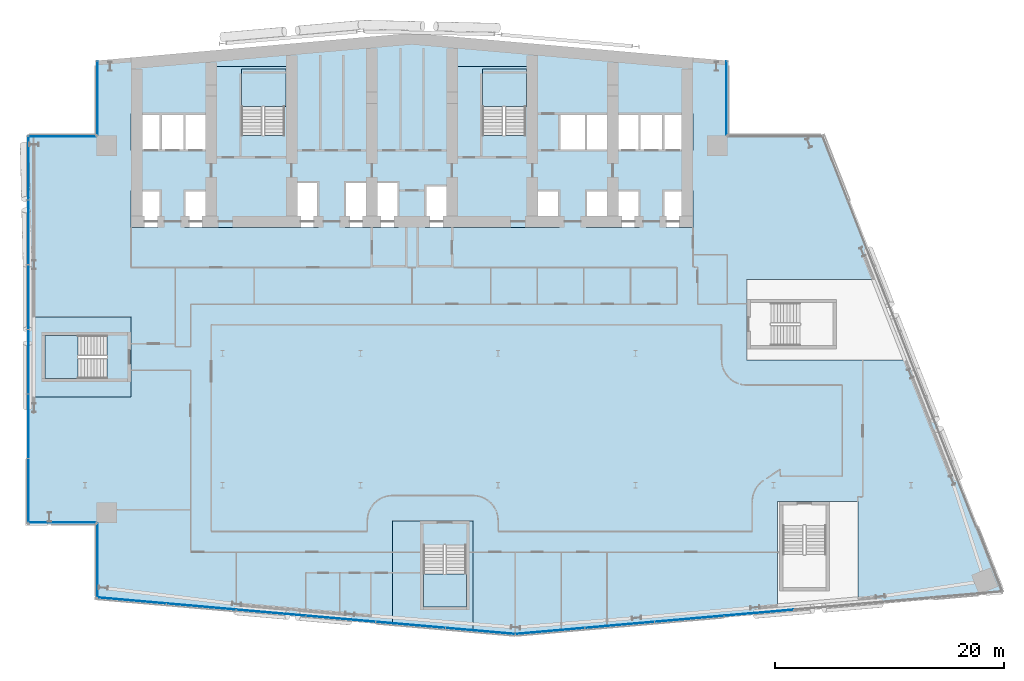
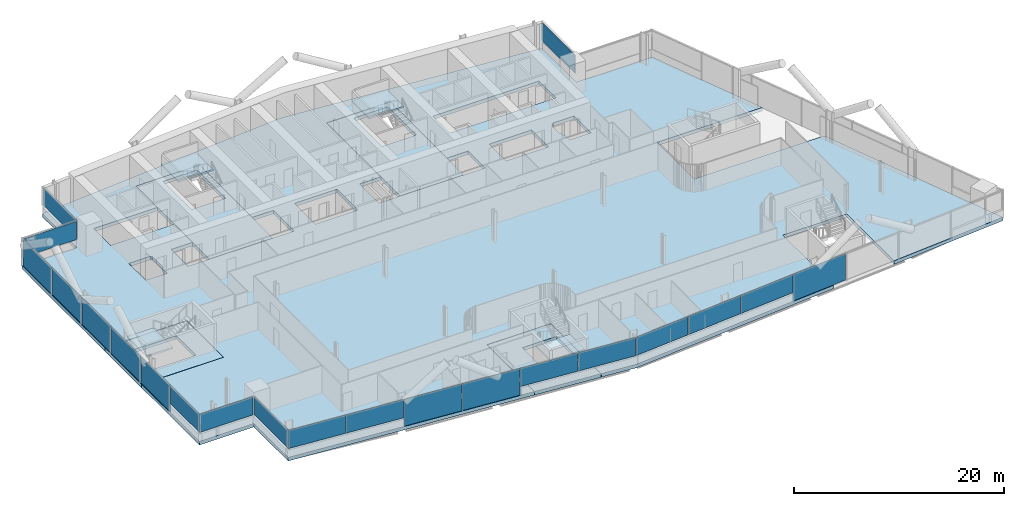
# One storey, part 12 of 30: 21 plates, 9 slabs, 12 elements without a shape of their own.
"""IFC4 building model written with IfcOpenShell, lengths in metres."""

from ifc_helpers import new_model, si_unit, direction, frame, origin, origin_2d, place, context, subcontext, project, spatial, polyline, rectangle, outline, extrude, material, layer, layer_set, type_object, element, aggregate, save


model = new_model("IFC4")

# Units and contexts
model_context = context("Model", 3, precision=1e-05, world=origin(), true_north=direction((0.0, 1.0)))
body_context = subcontext(model_context, "Body", "Model", "MODEL_VIEW")
ifc_project = project(units=[si_unit("LENGTHUNIT", "METRE"), si_unit("AREAUNIT", "SQUARE_METRE"), si_unit("VOLUMEUNIT", "CUBIC_METRE"), si_unit("PLANEANGLEUNIT", "RADIAN"), si_unit("MASSUNIT", "GRAM", prefix="KILO")], contexts=[model_context])

# Site, building, storey
site_placement = place(None, origin())
site = spatial("IfcSite", under=ifc_project, at=site_placement, CompositionType="ELEMENT")
building_placement = place(site_placement, origin())
building = spatial("IfcBuilding", under=site, at=building_placement, Name="Wharfspan Tower", CompositionType="ELEMENT")
storey_placement = place(building_placement, frame((0.0, 0.0, 107.5)))
storey = spatial("IfcBuildingStorey", under=building, at=storey_placement, Name="L24", CompositionType="ELEMENT", Elevation=107.5)

# Curtain wall, plates
ifc_material_1 = material(Name="Aluminium 6063-T6", Category="aluminium")
curtain_wall_type_1 = type_object("IfcCurtainWallType", Name="CURTAIN WALL FACETED FRONT", PredefinedType="NOTDEFINED", material=ifc_material_1)
curtain_wall_1_placement = place(storey_placement, origin())
curtain_wall_1 = element("IfcCurtainWall", 1, at=curtain_wall_1_placement, inside=storey, type_object=curtain_wall_type_1, Name="Curtain wall S1", PredefinedType="NOTDEFINED")
ifc_material_2 = material(Name="Glass clear low-iron double glazing", Category="glass")
ifc_layer_1 = layer(ifc_material_2, 0.040039)
ifc_layer_set_1 = layer_set([ifc_layer_1], Name="Glass clear low-iron double glazing")
plate_type_1 = type_object("IfcPlateType", Name="GLASS PANEL FACETED FRONT 40", PredefinedType="CURTAIN_PANEL", material=ifc_layer_set_1)
plate_1_placement = place(storey_placement, frame((16.061768, 1.467529, 1.0), z_axis=(0.0, 0.0, 1.0), x_axis=(0.996198, -0.087156, 0.0)))
plate_1 = element("IfcPlate", 2, at=plate_1_placement, type_object=plate_type_1, Name="Curtain wall S1 panel 1", PredefinedType="CURTAIN_PANEL", context=body_context, shape_type="SweptSolid", body=[
    extrude(rectangle(XDim=6.016602, YDim=0.040039, at=origin_2d()), origin(), (0.0, 0.0, 1.0), 2.120117),
])
plate_2_placement = place(storey_placement, frame((22.130127, 0.936523, 1.0), z_axis=(0.0, 0.0, 1.0), x_axis=(0.996198, -0.087156, 0.0)))
plate_2 = element("IfcPlate", 3, at=plate_2_placement, type_object=plate_type_1, Name="Curtain wall S1 panel 2", PredefinedType="CURTAIN_PANEL", context=body_context, shape_type="SweptSolid", body=[
    extrude(rectangle(XDim=6.046631, YDim=0.040039, at=origin_2d()), origin(), (0.0, 0.0, 1.0), 2.120117),
])
plate_3_placement = place(storey_placement, frame((40.380127, -0.660156, 1.0), z_axis=(0.0, 0.0, 1.0), x_axis=(0.996198, -0.087156, 0.0)))
plate_3 = element("IfcPlate", 4, at=plate_3_placement, type_object=plate_type_1, Name="Curtain wall S1 panel 5", PredefinedType="CURTAIN_PANEL", context=body_context, shape_type="SweptSolid", body=[
    extrude(rectangle(XDim=6.046631, YDim=0.040039, at=origin_2d()), origin(), (0.0, 0.0, 1.0), 2.120117),
])
plate_4_placement = place(storey_placement, frame((46.44873, -1.191162, 1.0), z_axis=(0.0, 0.0, 1.0), x_axis=(0.996198, -0.087156, 0.0)))
plate_4 = element("IfcPlate", 5, at=plate_4_placement, type_object=plate_type_1, Name="Curtain wall S1 panel 6", PredefinedType="CURTAIN_PANEL", context=body_context, shape_type="SweptSolid", body=[
    extrude(rectangle(XDim=6.016602, YDim=0.040039, at=origin_2d()), origin(), (0.0, 0.0, 1.0), 2.120117),
])

curtain_wall_2_placement = place(storey_placement, origin())
curtain_wall_2 = element("IfcCurtainWall", 6, at=curtain_wall_2_placement, inside=storey, type_object=curtain_wall_type_1, Name="Curtain wall S2", PredefinedType="NOTDEFINED")
plate_5_placement = place(storey_placement, frame((52.54541, -1.19165, 1.0), z_axis=(0.0, 0.0, 1.0), x_axis=(0.996198, 0.087156, 0.0)))
plate_5 = element("IfcPlate", 7, at=plate_5_placement, type_object=plate_type_1, Name="Curtain wall S2 panel 1", PredefinedType="CURTAIN_PANEL", context=body_context, shape_type="SweptSolid", body=[
    extrude(rectangle(XDim=6.004639, YDim=0.040039, at=origin_2d()), origin(), (0.0, 0.0, 1.0), 2.120117),
])
plate_6_placement = place(storey_placement, frame((58.601807, -0.661621, 1.0), z_axis=(0.0, 0.0, 1.0), x_axis=(0.996198, 0.087156, 0.0)))
plate_6 = element("IfcPlate", 8, at=plate_6_placement, type_object=plate_type_1, Name="Curtain wall S2 panel 2", PredefinedType="CURTAIN_PANEL", context=body_context, shape_type="SweptSolid", body=[
    extrude(rectangle(XDim=6.034668, YDim=0.040039, at=origin_2d()), origin(), (0.0, 0.0, 1.0), 2.120117),
])
plate_7_placement = place(storey_placement, frame((64.67334, -0.130615, 1.0), z_axis=(0.0, 0.0, 1.0), x_axis=(0.996198, 0.087156, 0.0)))
plate_7 = element("IfcPlate", 9, at=plate_7_placement, type_object=plate_type_1, Name="Curtain wall S2 panel 3", PredefinedType="CURTAIN_PANEL", context=body_context, shape_type="SweptSolid", body=[
    extrude(rectangle(XDim=6.034668, YDim=0.040039, at=origin_2d()), origin(), (0.0, 0.0, 1.0), 2.120117),
])

# Curtain wall, plate
curtain_wall_type_2 = type_object("IfcCurtainWallType", Name="CURTAIN WALL PROW AND END", PredefinedType="NOTDEFINED", material=ifc_material_1)
curtain_wall_3_placement = place(storey_placement, origin())
curtain_wall_3 = element("IfcCurtainWall", 10, at=curtain_wall_3_placement, inside=storey, type_object=curtain_wall_type_2, Name="Curtain wall NRE-V", PredefinedType="NOTDEFINED")
ifc_layer_2 = layer(ifc_material_2, 0.040039)
ifc_layer_set_2 = layer_set([ifc_layer_2], Name="Glass clear low-iron double glazing")
plate_type_2 = type_object("IfcPlateType", Name="GLASS PANEL PROW AND END 40", PredefinedType="CURTAIN_PANEL", material=ifc_layer_set_2)
plate_8_placement = place(storey_placement, frame((67.919922, 45.262451, 1.0), z_axis=(0.0, 0.0, 1.0), x_axis=(0.0, 1.0, 0.0)))
plate_8 = element("IfcPlate", 11, at=plate_8_placement, type_object=plate_type_2, Name="Curtain wall NRE-V panel 1", PredefinedType="CURTAIN_PANEL", context=body_context, shape_type="SweptSolid", body=[
    extrude(rectangle(XDim=6.405029, YDim=0.040039, at=origin_2d()), origin(), (0.0, 0.0, 1.0), 2.120117),
])
aggregate(curtain_wall_3, [plate_8])

curtain_wall_4_placement = place(storey_placement, origin())
curtain_wall_4 = element("IfcCurtainWall", 12, at=curtain_wall_4_placement, inside=storey, type_object=curtain_wall_type_2, Name="Curtain wall NRW-V", PredefinedType="NOTDEFINED")
plate_9_placement = place(storey_placement, frame((13.080078, 45.262451, 1.0), z_axis=(0.0, 0.0, 1.0), x_axis=(0.0, -1.0, 0.0)))
plate_9 = element("IfcPlate", 13, at=plate_9_placement, type_object=plate_type_2, Name="Curtain wall NRW-V panel 1", PredefinedType="CURTAIN_PANEL", context=body_context, shape_type="SweptSolid", body=[
    extrude(rectangle(XDim=6.405029, YDim=0.040039, at=origin_2d()), origin(), (0.0, 0.0, 1.0), 2.120117),
])
aggregate(curtain_wall_4, [plate_9])

curtain_wall_5_placement = place(storey_placement, origin())
curtain_wall_5 = element("IfcCurtainWall", 14, at=curtain_wall_5_placement, inside=storey, type_object=curtain_wall_type_2, Name="Curtain wall NRW-H", PredefinedType="NOTDEFINED")
plate_10_placement = place(storey_placement, frame((10.0, 41.919922, 1.0), z_axis=(0.0, 0.0, 1.0), x_axis=(-1.0, 0.0, 0.0)))
plate_10 = element("IfcPlate", 15, at=plate_10_placement, type_object=plate_type_2, Name="Curtain wall NRW-H panel 1", PredefinedType="CURTAIN_PANEL", context=body_context, shape_type="SweptSolid", body=[
    extrude(rectangle(XDim=5.879883, YDim=0.040039, at=origin_2d()), origin(), (0.0, 0.0, 1.0), 2.120117),
])
aggregate(curtain_wall_5, [plate_10])

curtain_wall_6_placement = place(storey_placement, origin())
curtain_wall_6 = element("IfcCurtainWall", 16, at=curtain_wall_6_placement, inside=storey, type_object=curtain_wall_type_2, Name="Curtain wall W", PredefinedType="NOTDEFINED")
plate_11_placement = place(storey_placement, frame((7.080078, 11.031738, 1.0), z_axis=(0.0, 0.0, 1.0), x_axis=(0.0, -1.0, 0.0)))
plate_11 = element("IfcPlate", 17, at=plate_11_placement, type_object=plate_type_2, Name="Curtain wall W panel 6", PredefinedType="CURTAIN_PANEL", context=body_context, shape_type="SweptSolid", body=[
    extrude(rectangle(XDim=5.543213, YDim=0.040039, at=origin_2d()), origin(), (0.0, 0.0, 1.0), 2.120117),
])

curtain_wall_7_placement = place(storey_placement, origin())
curtain_wall_7 = element("IfcCurtainWall", 18, at=curtain_wall_7_placement, inside=storey, type_object=curtain_wall_type_2, Name="Curtain wall NFW-H", PredefinedType="NOTDEFINED")
plate_12_placement = place(storey_placement, frame((10.0, 8.280029, 1.0), z_axis=(0.0, 0.0, 1.0), x_axis=(1.0, 0.0, 0.0)))
plate_12 = element("IfcPlate", 19, at=plate_12_placement, type_object=plate_type_2, Name="Curtain wall NFW-H panel 1", PredefinedType="CURTAIN_PANEL", context=body_context, shape_type="SweptSolid", body=[
    extrude(rectangle(XDim=5.879883, YDim=0.040039, at=origin_2d()), origin(), (0.0, 0.0, 1.0), 2.120117),
])
aggregate(curtain_wall_7, [plate_12])

curtain_wall_8_placement = place(storey_placement, origin())
curtain_wall_8 = element("IfcCurtainWall", 20, at=curtain_wall_8_placement, inside=storey, type_object=curtain_wall_type_2, Name="Curtain wall NFW-V", PredefinedType="NOTDEFINED")
plate_13_placement = place(storey_placement, frame((13.080078, 4.9375, 1.0), z_axis=(0.0, 0.0, 1.0), x_axis=(0.0, -1.0, 0.0)))
plate_13 = element("IfcPlate", 21, at=plate_13_placement, type_object=plate_type_2, Name="Curtain wall NFW-V panel 1", PredefinedType="CURTAIN_PANEL", context=body_context, shape_type="SweptSolid", body=[
    extrude(rectangle(XDim=6.405029, YDim=0.040039, at=origin_2d()), origin(), (0.0, 0.0, 1.0), 2.120117),
])
aggregate(curtain_wall_8, [plate_13])

# Plate
ifc_material_3 = material(Name="Aluminium composite opaque insulated panel", Category="aluminium")
ifc_layer_3 = layer(ifc_material_3, 0.040039)
ifc_layer_set_3 = layer_set([ifc_layer_3], Name="Aluminium composite opaque insulated panel")
plate_type_3 = type_object("IfcPlateType", Name="INFILL PANEL FACETED FRONT OPAQUE 40", PredefinedType="SHEET", material=ifc_layer_set_3)
plate_14_placement = place(storey_placement, frame((28.213623, 0.404297, 0.0), z_axis=(0.0, 0.0, 1.0), x_axis=(0.996198, -0.087156, 0.0)))
plate_14 = element("IfcPlate", 22, at=plate_14_placement, type_object=plate_type_3, Name="Curtain wall S1 panel 3", PredefinedType="SHEET", context=body_context, shape_type="SweptSolid", body=[
    extrude(rectangle(XDim=6.046631, YDim=0.040039, at=origin_2d()), origin(), (0.0, 0.0, 1.0), 3.120117),
])

plate_15_placement = place(storey_placement, frame((34.296875, -0.12793, 0.0), z_axis=(0.0, 0.0, 1.0), x_axis=(0.996198, -0.087156, 0.0)))
plate_15 = element("IfcPlate", 23, at=plate_15_placement, type_object=plate_type_3, Name="Curtain wall S1 panel 4", PredefinedType="SHEET", context=body_context, shape_type="SweptSolid", body=[
    extrude(rectangle(XDim=6.046631, YDim=0.040039, at=origin_2d()), origin(), (0.0, 0.0, 1.0), 3.120117),
])

aggregate(curtain_wall_1, [plate_1, plate_2, plate_14, plate_15, plate_3, plate_4])

plate_16_placement = place(storey_placement, frame((70.744873, 0.400635, 0.0), z_axis=(0.0, 0.0, 1.0), x_axis=(0.996198, 0.087156, 0.0)))
plate_16 = element("IfcPlate", 24, at=plate_16_placement, type_object=plate_type_3, Name="Curtain wall S2 panel 4", PredefinedType="SHEET", context=body_context, shape_type="SweptSolid", body=[
    extrude(rectangle(XDim=6.034668, YDim=0.040039, at=origin_2d()), origin(), (0.0, 0.0, 1.0), 3.120117),
])

aggregate(curtain_wall_2, [plate_5, plate_6, plate_7, plate_16])

ifc_layer_4 = layer(ifc_material_3, 0.040039)
ifc_layer_set_4 = layer_set([ifc_layer_4], Name="Aluminium composite opaque insulated panel")
plate_type_4 = type_object("IfcPlateType", Name="INFILL PANEL PROW AND END OPAQUE 40", PredefinedType="SHEET", material=ifc_layer_set_4)
plate_17_placement = place(storey_placement, frame((7.080078, 39.168213, 0.0), z_axis=(0.0, 0.0, 1.0), x_axis=(0.0, -1.0, 0.0)))
plate_17 = element("IfcPlate", 25, at=plate_17_placement, type_object=plate_type_4, Name="Curtain wall W panel 1", PredefinedType="SHEET", context=body_context, shape_type="SweptSolid", body=[
    extrude(rectangle(XDim=5.543213, YDim=0.040039, at=origin_2d()), origin(), (0.0, 0.0, 1.0), 3.120117),
])

plate_18_placement = place(storey_placement, frame((7.080078, 33.550049, 0.0), z_axis=(0.0, 0.0, 1.0), x_axis=(0.0, -1.0, 0.0)))
plate_18 = element("IfcPlate", 26, at=plate_18_placement, type_object=plate_type_4, Name="Curtain wall W panel 2", PredefinedType="SHEET", context=body_context, shape_type="SweptSolid", body=[
    extrude(rectangle(XDim=5.573242, YDim=0.040039, at=origin_2d()), origin(), (0.0, 0.0, 1.0), 3.120117),
])

plate_19_placement = place(storey_placement, frame((7.080078, 27.916748, 0.0), z_axis=(0.0, 0.0, 1.0), x_axis=(0.0, -1.0, 0.0)))
plate_19 = element("IfcPlate", 27, at=plate_19_placement, type_object=plate_type_4, Name="Curtain wall W panel 3", PredefinedType="SHEET", context=body_context, shape_type="SweptSolid", body=[
    extrude(rectangle(XDim=5.573242, YDim=0.040039, at=origin_2d()), origin(), (0.0, 0.0, 1.0), 3.120117),
])

plate_20_placement = place(storey_placement, frame((7.080078, 22.283447, 0.0), z_axis=(0.0, 0.0, 1.0), x_axis=(0.0, -1.0, 0.0)))
plate_20 = element("IfcPlate", 28, at=plate_20_placement, type_object=plate_type_4, Name="Curtain wall W panel 4", PredefinedType="SHEET", context=body_context, shape_type="SweptSolid", body=[
    extrude(rectangle(XDim=5.573242, YDim=0.040039, at=origin_2d()), origin(), (0.0, 0.0, 1.0), 3.120117),
])

plate_21_placement = place(storey_placement, frame((7.080078, 16.649902, 0.0), z_axis=(0.0, 0.0, 1.0), x_axis=(0.0, -1.0, 0.0)))
plate_21 = element("IfcPlate", 29, at=plate_21_placement, type_object=plate_type_4, Name="Curtain wall W panel 5", PredefinedType="SHEET", context=body_context, shape_type="SweptSolid", body=[
    extrude(rectangle(XDim=5.573242, YDim=0.040039, at=origin_2d()), origin(), (0.0, 0.0, 1.0), 3.120117),
])

aggregate(curtain_wall_6, [plate_17, plate_18, plate_19, plate_20, plate_21, plate_11])

# Slabs
ifc_material_4 = material(Name="Concrete C40/50", Category="concrete")
ifc_layer_5 = layer(ifc_material_4, 0.399902)
ifc_layer_set_5 = layer_set([ifc_layer_5], Name="Concrete C40/50")
slab_type_1 = type_object("IfcSlabType", Name="Post-tensioned flat slab 400", PredefinedType="FLOOR", material=ifc_layer_set_5)
slab_1_placement = place(storey_placement, frame((0.0, 0.0, -0.400146)))
element("IfcSlab", 30, at=slab_1_placement, inside=storey, type_object=slab_type_1, Name="Floor slab L24", PredefinedType="FLOOR", context=body_context, shape_type="SweptSolid", body=[
    extrude(outline(polyline([(38.800293, -0.582275), (38.800293, 8.427002), (45.820312, 8.427002), (45.820312, -1.196289), (49.5, -1.518311), (72.355957, 0.481445), (72.355957, 10.104736), (79.375977, 10.104736), (79.375977, 1.095459), (92.0, 2.199951), (84.04541, 22.439941), (69.68042, 22.439941), (69.68042, 29.459961), (81.286621, 29.459961), (76.358154, 42.0), (68.0, 42.0), (68.0, 48.524902), (40.5, 50.930908), (13.0, 48.524902), (13.0, 42.0), (7.0, 42.0), (7.0, 26.209961), (16.01001, 26.209961), (16.01001, 19.189941), (7.0, 19.189941), (7.0, 8.199951), (13.0, 8.199951), (13.0, 1.675049), (38.800293, -0.582275)]), holes=[polyline([(62.48999, 35.389893), (62.36499, 35.389893), (62.36499, 36.909912), (62.48999, 36.909912), (62.48999, 37.110107), (62.656738, 37.110107), (62.656738, 37.209961), (65.01001, 37.209961), (65.01001, 33.98999), (62.656738, 33.98999), (62.656738, 34.98999), (62.48999, 34.98999), (62.48999, 35.389893)]), polyline([(65.01001, 43.909912), (65.01001, 40.689941), (53.323242, 40.689941), (53.323242, 43.909912), (65.01001, 43.909912)]), polyline([(55.656738, 33.98999), (55.656738, 37.209961), (60.343262, 37.209961), (60.343262, 33.98999), (55.656738, 33.98999)]), polyline([(43.98999, 37.659912), (43.98999, 48.01001), (51.01001, 48.01001), (51.01001, 37.209961), (53.343262, 37.209961), (53.343262, 33.98999), (41.656738, 33.98999), (41.656738, 37.659912), (43.98999, 37.659912)]), polyline([(34.656738, 33.98999), (34.656738, 37.959961), (39.343262, 37.959961), (39.343262, 33.98999), (34.656738, 33.98999)]), polyline([(20.656738, 37.209961), (22.98999, 37.209961), (22.98999, 40.689941), (20.676758, 40.689941), (20.656738, 40.689941), (15.98999, 40.689941), (15.98999, 43.909912), (20.656738, 43.909912), (20.676758, 43.909912), (22.98999, 43.909912), (22.98999, 48.01001), (30.01001, 48.01001), (30.01001, 37.959961), (32.343262, 37.959961), (32.343262, 33.98999), (20.656738, 33.98999), (20.656738, 37.209961)]), polyline([(18.51001, 34.98999), (18.343262, 34.98999), (18.343262, 33.98999), (15.98999, 33.98999), (15.98999, 37.209961), (18.343262, 37.209961), (18.343262, 37.110107), (18.51001, 37.110107), (18.51001, 34.98999)])]), origin(), (0.0, 0.0, 1.0), 0.400146),
])
slab_2_placement = place(storey_placement, frame((0.0, 0.0, -0.400146)))
element("IfcSlab", 31, at=slab_2_placement, inside=storey, type_object=slab_type_1, Name="Core floor slab L24 part 1", PredefinedType="FLOOR", context=body_context, shape_type="SweptSolid", body=[
    extrude(outline(polyline([(16.0, 20.524902), (16.0, 24.875), (16.0, 26.199951), (7.0, 26.199951), (7.0, 19.199951), (16.0, 19.199951), (16.0, 20.524902)]), holes=[polyline([(13.9021, 20.824951), (13.9021, 20.824707), (13.9021, 20.824707), (13.901855, 20.824463), (13.901855, 20.824219), (13.901855, 20.824219), (13.901611, 20.823975), (13.901611, 20.82373), (13.901367, 20.823486), (13.901367, 20.823486), (13.901123, 20.823242), (13.900879, 20.823242), (13.900879, 20.823242), (13.900635, 20.822998), (13.900391, 20.822998), (13.900146, 20.822998), (13.899902, 20.822998), (8.5, 20.822998), (8.499756, 20.822998), (8.499512, 20.822998), (8.499512, 20.822998), (8.499268, 20.823242), (8.499023, 20.823242), (8.498779, 20.823242), (8.498779, 20.823486), (8.498535, 20.823486), (8.498535, 20.82373), (8.498291, 20.823975), (8.498291, 20.824219), (8.498291, 20.824219), (8.498047, 20.824463), (8.498047, 20.824707), (8.498047, 20.824707), (8.498047, 20.824951), (8.498047, 24.574951), (8.498047, 24.575195), (8.498047, 24.575439), (8.498047, 24.575684), (8.498291, 24.575684), (8.498291, 24.575928), (8.498291, 24.576172), (8.498535, 24.576416), (8.498535, 24.576416), (8.498779, 24.576416), (8.498779, 24.57666), (8.499023, 24.576904), (8.499268, 24.576904), (8.499512, 24.576904), (8.499512, 24.576904), (8.499756, 24.576904), (8.5, 24.576904), (13.899902, 24.576904), (13.900146, 24.576904), (13.900391, 24.576904), (13.900635, 24.576904), (13.900879, 24.576904), (13.900879, 24.576904), (13.901123, 24.57666), (13.901367, 24.576416), (13.901367, 24.576416), (13.901611, 24.576416), (13.901611, 24.576172), (13.901855, 24.575928), (13.901855, 24.575684), (13.901855, 24.575684), (13.9021, 24.575439), (13.9021, 24.575195), (13.9021, 24.574951), (13.9021, 20.824951)])]), origin(), (0.0, 0.0, 1.0), 0.400146),
])
slab_3_placement = place(storey_placement, frame((0.0, 0.0, -0.400146)))
element("IfcSlab", 32, at=slab_3_placement, inside=storey, type_object=slab_type_1, Name="Core floor slab L24 part 2", PredefinedType="FLOOR", context=body_context, shape_type="SweptSolid", body=[
    extrude(outline(polyline([(20.664795, 34.0), (20.664795, 37.199951), (20.664795, 37.200195), (20.664795, 37.200439), (20.664795, 37.200684), (20.664795, 37.200684), (20.664795, 37.200928), (20.665039, 37.201172), (20.665039, 37.201416), (20.665283, 37.201416), (20.665283, 37.201416), (20.665527, 37.20166), (20.665771, 37.201904), (20.666016, 37.201904), (20.666016, 37.201904), (20.66626, 37.201904), (20.666504, 37.201904), (20.666748, 37.201904), (23.0, 37.201904), (23.000244, 37.201904), (23.000488, 37.201904), (23.000488, 37.201904), (23.000732, 37.201904), (23.000977, 37.201904), (23.001221, 37.20166), (23.001221, 37.201416), (23.001465, 37.201416), (23.001465, 37.201416), (23.001709, 37.201172), (23.001709, 37.200928), (23.001709, 37.200684), (23.001953, 37.200684), (23.001953, 37.200439), (23.001953, 37.200195), (23.001953, 37.199951), (23.001953, 34.0), (29.998047, 34.0), (29.998047, 37.949951), (29.998047, 37.950195), (29.998047, 37.950439), (29.998047, 37.950684), (29.998291, 37.950684), (29.998291, 37.950928), (29.998291, 37.951172), (29.998535, 37.951416), (29.998535, 37.951416), (29.998779, 37.951416), (29.998779, 37.95166), (29.999023, 37.951904), (29.999268, 37.951904), (29.999512, 37.951904), (29.999512, 37.951904), (29.999756, 37.951904), (30.0, 37.951904), (32.333252, 37.951904), (32.333496, 37.951904), (32.33374, 37.951904), (32.333984, 37.951904), (32.333984, 37.951904), (32.334229, 37.951904), (32.334473, 37.95166), (32.334717, 37.951416), (32.334717, 37.951416), (32.334961, 37.951416), (32.334961, 37.951172), (32.335205, 37.950928), (32.335205, 37.950684), (32.335205, 37.950684), (32.335205, 37.950439), (32.335205, 37.950195), (32.335205, 37.949951), (32.335205, 34.0), (32.341309, 34.0), (32.341309, 37.958008), (30.01001, 37.958008), (30.009766, 37.958008), (30.009521, 37.958008), (30.009521, 37.958008), (30.009277, 37.958252), (30.009033, 37.958252), (30.008789, 37.958252), (30.008789, 37.958496), (30.008545, 37.958496), (30.008545, 37.95874), (30.008301, 37.958984), (30.008301, 37.958984), (30.008301, 37.959229), (30.008057, 37.959473), (30.008057, 37.959717), (30.008057, 37.959717), (30.008057, 37.959961), (30.008057, 48.008057), (22.991943, 48.008057), (22.991943, 43.909912), (22.991943, 43.909912), (22.991943, 43.909668), (22.991943, 43.909424), (22.991699, 43.90918), (22.991699, 43.90918), (22.991699, 43.908936), (22.991455, 43.908691), (22.991455, 43.908691), (22.991211, 43.908447), (22.991211, 43.908203), (22.990967, 43.908203), (22.990723, 43.908203), (22.990479, 43.908203), (22.990479, 43.907959), (22.990234, 43.907959), (22.98999, 43.907959), (16.0, 43.907959), (16.0, 43.9021), (20.666748, 43.9021), (20.666748, 43.9021), (23.0, 43.9021), (23.000244, 43.9021), (23.000488, 43.9021), (23.000488, 43.901855), (23.000732, 43.901855), (23.000977, 43.901855), (23.001221, 43.901611), (23.001221, 43.901611), (23.001465, 43.901367), (23.001465, 43.901367), (23.001709, 43.901123), (23.001709, 43.900879), (23.001709, 43.900879), (23.001953, 43.900635), (23.001953, 43.900391), (23.001953, 43.900146), (23.001953, 43.899902), (23.001953, 40.699951), (23.001953, 40.699707), (23.001953, 40.699707), (23.001953, 40.699463), (23.001709, 40.699219), (23.001709, 40.699219), (23.001709, 40.698975), (23.001465, 40.69873), (23.001465, 40.698486), (23.001221, 40.698486), (23.001221, 40.698242), (23.000977, 40.698242), (23.000732, 40.698242), (23.000488, 40.697998), (23.000488, 40.697998), (23.000244, 40.697998), (23.0, 40.697998), (20.666748, 40.697998), (20.666748, 40.697998), (16.0, 40.697998), (16.0, 40.691895), (22.98999, 40.691895), (22.990234, 40.691895), (22.990479, 40.691895), (22.990479, 40.691895), (22.990723, 40.691895), (22.990967, 40.691895), (22.991211, 40.69165), (22.991211, 40.691406), (22.991455, 40.691406), (22.991455, 40.691406), (22.991699, 40.691162), (22.991699, 40.690918), (22.991699, 40.690918), (22.991943, 40.690674), (22.991943, 40.69043), (22.991943, 40.690186), (22.991943, 40.689941), (22.991943, 37.209961), (22.991943, 37.209717), (22.991943, 37.209717), (22.991943, 37.209473), (22.991699, 37.209229), (22.991699, 37.208984), (22.991699, 37.208984), (22.991455, 37.20874), (22.991455, 37.208496), (22.991211, 37.208496), (22.991211, 37.208252), (22.990967, 37.208252), (22.990723, 37.208252), (22.990479, 37.208008), (22.990479, 37.208008), (22.990234, 37.208008), (22.98999, 37.208008), (20.658691, 37.208008), (20.658691, 34.0), (20.664795, 34.0)]), holes=[polyline([(25.649902, 41.998047), (25.649902, 41.998047), (25.649658, 41.998047), (25.649414, 41.998047), (25.64917, 41.998291), (25.64917, 41.998291), (25.648926, 41.998291), (25.648682, 41.998535), (25.648682, 41.998535), (25.648438, 41.998779), (25.648193, 41.998779), (25.648193, 41.999023), (25.648193, 41.999268), (25.648193, 41.999512), (25.647949, 41.999512), (25.647949, 41.999756), (25.647949, 42.0), (25.647949, 47.399902), (25.647949, 47.400146), (25.647949, 47.400391), (25.648193, 47.400635), (25.648193, 47.400879), (25.648193, 47.400879), (25.648193, 47.401123), (25.648438, 47.401367), (25.648682, 47.401367), (25.648682, 47.401611), (25.648926, 47.401611), (25.64917, 47.401855), (25.64917, 47.401855), (25.649414, 47.401855), (25.649658, 47.4021), (25.649902, 47.4021), (25.649902, 47.4021), (29.399902, 47.4021), (29.400146, 47.4021), (29.400391, 47.4021), (29.400635, 47.401855), (29.400879, 47.401855), (29.400879, 47.401855), (29.401123, 47.401611), (29.401367, 47.401611), (29.401367, 47.401367), (29.401611, 47.401367), (29.401611, 47.401123), (29.401855, 47.400879), (29.401855, 47.400879), (29.401855, 47.400635), (29.4021, 47.400391), (29.4021, 47.400146), (29.4021, 47.399902), (29.4021, 42.0), (29.4021, 41.999756), (29.4021, 41.999512), (29.401855, 41.999512), (29.401855, 41.999268), (29.401855, 41.999023), (29.401611, 41.998779), (29.401611, 41.998779), (29.401367, 41.998535), (29.401367, 41.998535), (29.401123, 41.998291), (29.400879, 41.998291), (29.400879, 41.998291), (29.400635, 41.998047), (29.400391, 41.998047), (29.400146, 41.998047), (29.399902, 41.998047), (25.649902, 41.998047)])]), origin(), (0.0, 0.0, 1.0), 0.400146),
])
slab_4_placement = place(storey_placement, frame((0.0, 0.0, -0.400146)))
element("IfcSlab", 33, at=slab_4_placement, inside=storey, type_object=slab_type_1, Name="Core floor slab L24 part 3", PredefinedType="FLOOR", context=body_context, shape_type="SweptSolid", body=[
    extrude(outline(polyline([(45.5354, 8.416992), (41.185303, 8.416992), (38.810303, 8.416992), (38.810303, -0.583008), (45.810303, -1.195557), (45.810303, 8.416992), (45.5354, 8.416992)]), holes=[polyline([(41.483398, 6.316895), (41.483398, 6.317139), (41.483398, 6.317383), (41.483398, 6.317383), (41.483398, 6.317627), (41.483398, 6.317871), (41.483643, 6.318115), (41.483643, 6.318115), (41.483887, 6.318359), (41.483887, 6.318604), (41.484131, 6.318604), (41.484375, 6.318604), (41.484619, 6.318848), (41.484619, 6.318848), (41.484863, 6.318848), (41.485107, 6.319092), (41.485352, 6.319092), (45.235352, 6.319092), (45.235596, 6.319092), (45.235596, 6.318848), (45.23584, 6.318848), (45.236084, 6.318848), (45.236084, 6.318604), (45.236328, 6.318604), (45.236572, 6.318604), (45.236816, 6.318359), (45.236816, 6.318115), (45.236816, 6.318115), (45.237061, 6.317871), (45.237061, 6.317627), (45.237305, 6.317383), (45.237305, 6.317383), (45.237305, 6.317139), (45.237305, 6.316895), (45.237305, 0.916992), (45.237305, 0.916748), (45.237305, 0.916504), (45.237305, 0.916504), (45.237061, 0.91626), (45.237061, 0.916016), (45.236816, 0.916016), (45.236816, 0.915771), (45.236816, 0.915527), (45.236572, 0.915283), (45.236328, 0.915283), (45.236084, 0.915283), (45.236084, 0.915039), (45.23584, 0.915039), (45.235596, 0.915039), (45.235596, 0.915039), (45.235352, 0.915039), (41.485352, 0.915039), (41.485107, 0.915039), (41.484863, 0.915039), (41.484619, 0.915039), (41.484619, 0.915039), (41.484375, 0.915283), (41.484131, 0.915283), (41.483887, 0.915283), (41.483887, 0.915527), (41.483643, 0.915771), (41.483643, 0.916016), (41.483398, 0.916016), (41.483398, 0.91626), (41.483398, 0.916504), (41.483398, 0.916504), (41.483398, 0.916748), (41.483398, 0.916992), (41.483398, 6.316895)])]), origin(), (0.0, 0.0, 1.0), 0.400146),
])
slab_5_placement = place(storey_placement, frame((0.0, 0.0, -0.400146)))
element("IfcSlab", 34, at=slab_5_placement, inside=storey, type_object=slab_type_1, Name="Core floor slab L24 part 4", PredefinedType="FLOOR", context=body_context, shape_type="SweptSolid", body=[
    extrude(outline(polyline([(53.341309, 34.0), (53.341309, 37.208008), (51.01001, 37.208008), (51.009766, 37.208008), (51.009521, 37.208008), (51.009521, 37.208008), (51.009277, 37.208252), (51.009033, 37.208252), (51.008789, 37.208252), (51.008789, 37.208496), (51.008545, 37.208496), (51.008545, 37.20874), (51.008301, 37.208984), (51.008301, 37.208984), (51.008301, 37.209229), (51.008057, 37.209473), (51.008057, 37.209717), (51.008057, 37.209717), (51.008057, 37.209961), (51.008057, 48.008057), (43.991943, 48.008057), (43.991943, 37.659912), (43.991943, 37.659912), (43.991943, 37.659668), (43.991943, 37.659424), (43.991699, 37.65918), (43.991699, 37.65918), (43.991699, 37.658936), (43.991455, 37.658691), (43.991455, 37.658691), (43.991211, 37.658447), (43.991211, 37.658203), (43.990967, 37.658203), (43.990723, 37.658203), (43.990479, 37.658203), (43.990479, 37.657959), (43.990234, 37.657959), (43.98999, 37.657959), (41.658691, 37.657959), (41.658691, 34.0), (41.664795, 34.0), (41.664795, 37.649902), (41.664795, 37.650146), (41.664795, 37.650391), (41.664795, 37.650635), (41.664795, 37.650879), (41.664795, 37.650879), (41.665039, 37.651123), (41.665039, 37.651367), (41.665283, 37.651367), (41.665283, 37.651611), (41.665527, 37.651611), (41.665771, 37.651855), (41.666016, 37.651855), (41.666016, 37.651855), (41.66626, 37.6521), (41.666504, 37.6521), (41.666748, 37.6521), (44.0, 37.6521), (44.000244, 37.6521), (44.000488, 37.6521), (44.000488, 37.651855), (44.000732, 37.651855), (44.000977, 37.651855), (44.001221, 37.651611), (44.001221, 37.651611), (44.001465, 37.651367), (44.001465, 37.651367), (44.001709, 37.651123), (44.001709, 37.650879), (44.001709, 37.650879), (44.001953, 37.650635), (44.001953, 37.650391), (44.001953, 37.650146), (44.001953, 37.649902), (44.001953, 34.0), (50.998047, 34.0), (50.998047, 37.199951), (50.998047, 37.200195), (50.998047, 37.200439), (50.998047, 37.200684), (50.998291, 37.200684), (50.998291, 37.200928), (50.998291, 37.201172), (50.998535, 37.201416), (50.998535, 37.201416), (50.998779, 37.201416), (50.998779, 37.20166), (50.999023, 37.201904), (50.999268, 37.201904), (50.999512, 37.201904), (50.999512, 37.201904), (50.999756, 37.201904), (51.0, 37.201904), (53.333252, 37.201904), (53.333496, 37.201904), (53.33374, 37.201904), (53.333984, 37.201904), (53.333984, 37.201904), (53.334229, 37.201904), (53.334473, 37.20166), (53.334717, 37.201416), (53.334717, 37.201416), (53.334961, 37.201416), (53.334961, 37.201172), (53.335205, 37.200928), (53.335205, 37.200684), (53.335205, 37.200684), (53.335205, 37.200439), (53.335205, 37.200195), (53.335205, 37.199951), (53.335205, 34.0), (53.341309, 34.0)]), holes=[polyline([(50.4021, 42.0), (50.4021, 41.999756), (50.4021, 41.999512), (50.401855, 41.999512), (50.401855, 41.999268), (50.401855, 41.999023), (50.401611, 41.998779), (50.401611, 41.998779), (50.401367, 41.998535), (50.401367, 41.998535), (50.401123, 41.998291), (50.400879, 41.998291), (50.400879, 41.998291), (50.400635, 41.998047), (50.400391, 41.998047), (50.400146, 41.998047), (50.399902, 41.998047), (46.649902, 41.998047), (46.649902, 41.998047), (46.649658, 41.998047), (46.649414, 41.998047), (46.64917, 41.998291), (46.64917, 41.998291), (46.648926, 41.998291), (46.648682, 41.998535), (46.648682, 41.998535), (46.648438, 41.998779), (46.648193, 41.998779), (46.648193, 41.999023), (46.648193, 41.999268), (46.648193, 41.999512), (46.647949, 41.999512), (46.647949, 41.999756), (46.647949, 42.0), (46.647949, 47.399902), (46.647949, 47.400146), (46.647949, 47.400391), (46.648193, 47.400635), (46.648193, 47.400879), (46.648193, 47.400879), (46.648193, 47.401123), (46.648438, 47.401367), (46.648682, 47.401367), (46.648682, 47.401611), (46.648926, 47.401611), (46.64917, 47.401855), (46.64917, 47.401855), (46.649414, 47.401855), (46.649658, 47.4021), (46.649902, 47.4021), (46.649902, 47.4021), (50.399902, 47.4021), (50.400146, 47.4021), (50.400391, 47.4021), (50.400635, 47.401855), (50.400879, 47.401855), (50.400879, 47.401855), (50.401123, 47.401611), (50.401367, 47.401611), (50.401367, 47.401367), (50.401611, 47.401367), (50.401611, 47.401123), (50.401855, 47.400879), (50.401855, 47.400879), (50.401855, 47.400635), (50.4021, 47.400391), (50.4021, 47.400146), (50.4021, 47.399902), (50.4021, 42.0)])]), origin(), (0.0, 0.0, 1.0), 0.400146),
])

# Stair, slab
stair_type = type_object("IfcStairType", Name="Half-turn stair 20 risers 180 mm", PredefinedType="HALF_TURN_STAIR", material=ifc_material_4)
stair_1_placement = place(storey_placement, origin())
stair_1 = element("IfcStair", 35, at=stair_1_placement, inside=storey, type_object=stair_type, Name="L24 stair ST1", PredefinedType="HALF_TURN_STAIR")
ifc_layer_6 = layer(ifc_material_4, 0.199951)
ifc_layer_set_6 = layer_set([ifc_layer_6], Name="Concrete C40/50")
slab_type_2 = type_object("IfcSlabType", Name="Stair landing 200", PredefinedType="LANDING", material=ifc_layer_set_6)
slab_6_placement = place(storey_placement, frame((0.0, 0.0, 1.599854)))
slab_6 = element("IfcSlab", 36, at=slab_6_placement, type_object=slab_type_2, Name="ST1 landing 1", PredefinedType="LANDING", context=body_context, shape_type="SweptSolid", body=[
    extrude(outline(polyline([(25.649902, 44.52002), (29.5, 44.52002), (29.5, 47.783691), (25.649902, 47.783691), (25.649902, 44.52002)])), origin(), (0.0, 0.0, 1.0), 0.200195),
])
aggregate(stair_1, [slab_6])

stair_2_placement = place(storey_placement, origin())
stair_2 = element("IfcStair", 37, at=stair_2_placement, inside=storey, type_object=stair_type, Name="L24 stair ST2", PredefinedType="HALF_TURN_STAIR")
slab_7_placement = place(storey_placement, frame((0.0, 0.0, 1.599854)))
slab_7 = element("IfcSlab", 38, at=slab_7_placement, type_object=slab_type_2, Name="ST2 landing 1", PredefinedType="LANDING", context=body_context, shape_type="SweptSolid", body=[
    extrude(outline(polyline([(46.649902, 44.52002), (50.5, 44.52002), (50.5, 47.783691), (46.649902, 47.783691), (46.649902, 44.52002)])), origin(), (0.0, 0.0, 1.0), 0.200195),
])
aggregate(stair_2, [slab_7])

stair_3_placement = place(storey_placement, origin())
stair_3 = element("IfcStair", 39, at=stair_3_placement, inside=storey, type_object=stair_type, Name="L24 stair ST3", PredefinedType="HALF_TURN_STAIR")
slab_8_placement = place(storey_placement, frame((0.0, 0.0, 1.599854)))
slab_8 = element("IfcSlab", 40, at=slab_8_placement, type_object=slab_type_2, Name="ST3 landing 1", PredefinedType="LANDING", context=body_context, shape_type="SweptSolid", body=[
    extrude(outline(polyline([(11.379883, 24.574951), (8.5, 24.574951), (8.5, 20.824951), (11.379883, 20.824951), (11.379883, 24.574951)])), origin(), (0.0, 0.0, 1.0), 0.200195),
])
aggregate(stair_3, [slab_8])

stair_4_placement = place(storey_placement, origin())
stair_4 = element("IfcStair", 41, at=stair_4_placement, inside=storey, type_object=stair_type, Name="L24 stair ST4", PredefinedType="HALF_TURN_STAIR")
slab_9_placement = place(storey_placement, frame((0.0, 0.0, 1.599854)))
slab_9 = element("IfcSlab", 42, at=slab_9_placement, type_object=slab_type_2, Name="ST4 landing 1", PredefinedType="LANDING", context=body_context, shape_type="SweptSolid", body=[
    extrude(outline(polyline([(41.485352, 3.796875), (41.485352, 0.916992), (45.235352, 0.916992), (45.235352, 3.796875), (41.485352, 3.796875)])), origin(), (0.0, 0.0, 1.0), 0.200195),
])
aggregate(stair_4, [slab_9])

save(model, "model.ifc")
